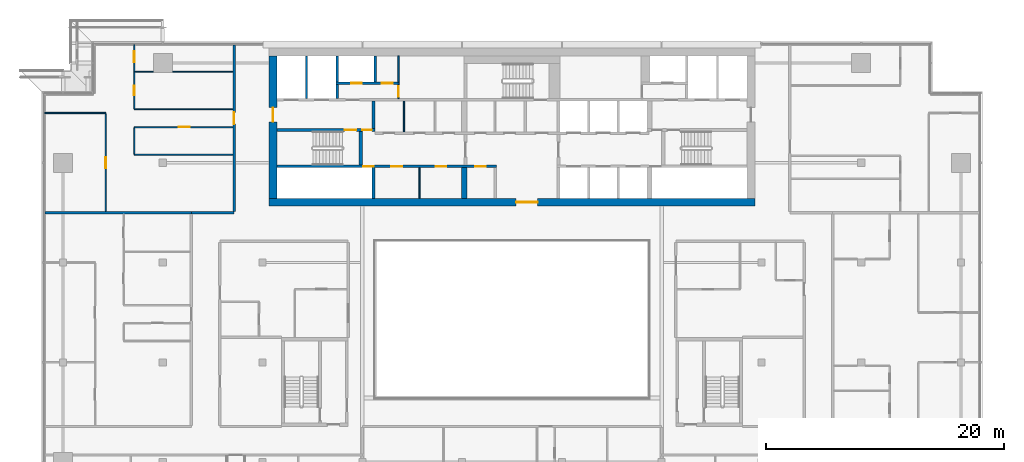
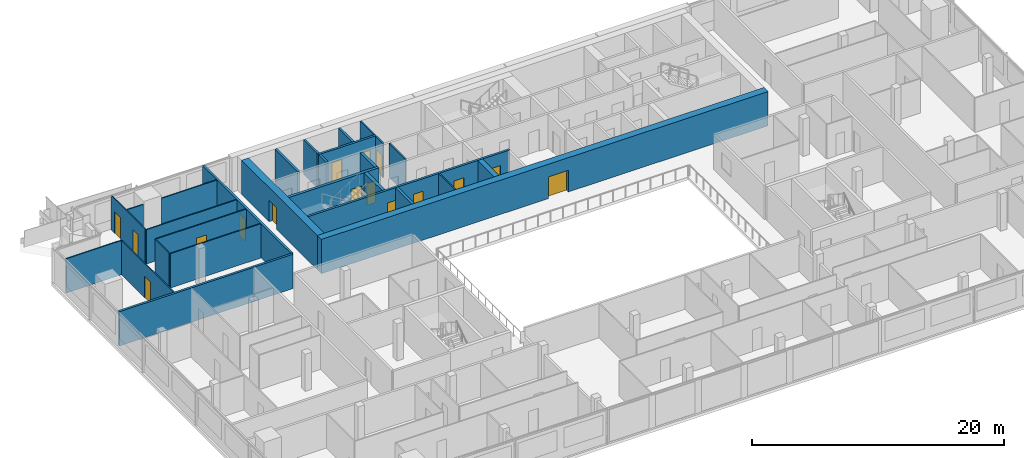
# One storey, part 21 of 30: 29 walls, 16 doors, 16 openings.
"""IFC4 building model written with IfcOpenShell, lengths in metres."""

from ifc_helpers import new_model, si_unit, direction, frame, frame_2d, origin, place, context, subcontext, project, spatial, rectangle, extrude, material, layer, layer_set, type_object, element, fill, save


model = new_model("IFC4")

# Units and contexts
model_context = context("Model", 3, precision=1e-05, world=origin(), true_north=direction((0.0, 1.0)))
body_context = subcontext(model_context, "Body", "Model", "MODEL_VIEW")
ifc_project = project(units=[si_unit("LENGTHUNIT", "METRE"), si_unit("AREAUNIT", "SQUARE_METRE"), si_unit("VOLUMEUNIT", "CUBIC_METRE"), si_unit("PLANEANGLEUNIT", "RADIAN"), si_unit("MASSUNIT", "GRAM", prefix="KILO")], contexts=[model_context])

# Site, building, storey
site_placement = place(None, origin())
site = spatial("IfcSite", under=ifc_project, at=site_placement, CompositionType="ELEMENT")
building_placement = place(site_placement, origin())
building = spatial("IfcBuilding", under=site, at=building_placement, Name="Saffron Gate Tower", CompositionType="ELEMENT")
storey_placement = place(building_placement, frame((0.0, 0.0, 237.89990234375)))
storey = spatial("IfcBuildingStorey", under=building, at=storey_placement, Name="L58", CompositionType="ELEMENT", Elevation=237.89990234375)

# Wall
ifc_material_1 = material(Name="Concrete C60", Category="concrete")
ifc_layer_1 = layer(ifc_material_1, 0.25)
ifc_layer_set_1 = layer_set([ifc_layer_1], Name="CW14 RC core wall 250 C60")
wall_type_1 = type_object("IfcWallType", Name="CW14 RC core wall 250 C60", PredefinedType="SOLIDWALL", material=ifc_layer_set_1)
wall_1_placement = place(storey_placement, frame((75.925048828125, 62.39990234375, 0.0), z_axis=(0.0, 0.0, 1.0), x_axis=(0.0, 1.0, 0.0)))
element("IfcWall", 1, at=wall_1_placement, inside=storey, type_object=wall_type_1, Name="Wall CW14-L58-5", PredefinedType="SOLIDWALL", context=body_context, shape_type="SweptSolid", body=[
    extrude(rectangle(XDim=2.60009765625, YDim=0.25, at=frame_2d((1.300048828125, 0.0))), origin(), (0.0, 0.0, 1.0), 3.320068359375),
])

# Wall, openings, doors
wall_2_placement = place(storey_placement, frame((67.800048828125, 68.175048828125, 0.0), z_axis=(0.0, 0.0, 1.0), x_axis=(1.0, 0.0, 0.0)))
wall_2 = element("IfcWall", 2, at=wall_2_placement, inside=storey, type_object=wall_type_1, Name="Wall CW14-L58-29", PredefinedType="SOLIDWALL", context=body_context, shape_type="SweptSolid", body=[
    extrude(rectangle(XDim=8.25, YDim=0.25, at=frame_2d((4.125, 0.0))), origin(), (0.0, 0.0, 1.0), 3.320068359375),
])
opening_1_placement = place(wall_2_placement, frame((5.699951171875, 0.0, 0.0)))
opening_1 = element("IfcOpeningElement", 3, at=opening_1_placement, cuts=wall_2, Name="Opening CR-15", PredefinedType="OPENING", context=body_context, shape_type="SweptSolid", body=[
    extrude(rectangle(XDim=1.0, YDim=2.10009765625, at=frame_2d((0.5, 1.050048828125))), frame((0.0, 0.135009765625, 0.0), z_axis=(0.0, -1.0, 0.0), x_axis=(1.0, 0.0, 0.0)), (0.0, 0.0, 1.0), 0.27001953125),
])
opening_2_placement = place(wall_2_placement, frame((7.199951171875, 0.0, 0.0)))
opening_2 = element("IfcOpeningElement", 4, at=opening_2_placement, cuts=wall_2, Name="Opening CR-06", PredefinedType="OPENING", context=body_context, shape_type="SweptSolid", body=[
    extrude(rectangle(XDim=0.800048828125, YDim=2.10009765625, at=frame_2d((0.39990234375, 1.050048828125))), frame((0.0, 0.135009765625, 0.0), z_axis=(0.0, -1.0, 0.0), x_axis=(1.0, 0.0, 0.0)), (0.0, 0.0, 1.0), 0.27001953125),
])
ifc_material_2 = material(Name="Steel fire door set", Category="steel")
door_type_1 = type_object("IfcDoorType", Name="CD5 Stair door 1000x2100 EI 120", OperationType="NOTDEFINED", PredefinedType="DOOR", material=ifc_material_2)
door_1_placement = place(opening_1_placement, origin())
door_1 = element("IfcDoor", 5, at=door_1_placement, inside=storey, type_object=door_type_1, Name="DOOR CR-15", OperationType="SINGLE_SWING_RIGHT", OverallHeight=2.10009765625, OverallWidth=1.0, PredefinedType="DOOR", context=body_context, shape_type="SweptSolid", body=[
    extrude(rectangle(XDim=1.0, YDim=2.10009765625, at=frame_2d((0.5, 1.050048828125))), frame((0.0, 0.02490234375, 0.0), z_axis=(0.0, -1.0, 0.0), x_axis=(1.0, 0.0, 0.0)), (0.0, 0.0, 1.0), 0.050048828125),
])
fill(opening_1, door_1)
door_type_2 = type_object("IfcDoorType", Name="CD6 Lobby door 800x2100 EI 120", OperationType="NOTDEFINED", PredefinedType="DOOR", material=ifc_material_2)
door_2_placement = place(opening_2_placement, origin())
door_2 = element("IfcDoor", 6, at=door_2_placement, inside=storey, type_object=door_type_2, Name="DOOR CR-06", OperationType="SINGLE_SWING_LEFT", OverallHeight=2.10009765625, OverallWidth=0.800048828125, PredefinedType="DOOR", context=body_context, shape_type="SweptSolid", body=[
    extrude(rectangle(XDim=0.800048828125, YDim=2.10009765625, at=frame_2d((0.39990234375, 1.050048828125))), frame((0.0, 0.02490234375, 0.0), z_axis=(0.0, -1.0, 0.0), x_axis=(1.0, 0.0, 0.0)), (0.0, 0.0, 1.0), 0.050048828125),
])
fill(opening_2, door_2)

# Wall
wall_3_placement = place(storey_placement, frame((75.925048828125, 68.300048828125, 0.0), z_axis=(0.0, 0.0, 1.0), x_axis=(0.0, 1.0, 0.0)))
element("IfcWall", 7, at=wall_3_placement, inside=storey, type_object=wall_type_1, Name="Wall CW14-L58-31", PredefinedType="SOLIDWALL", context=body_context, shape_type="SweptSolid", body=[
    extrude(rectangle(XDim=2.300048828125, YDim=0.25, at=frame_2d((1.14990234375, 0.0))), origin(), (0.0, 0.0, 1.0), 3.320068359375),
])

# Wall, openings, doors
ifc_layer_2 = layer(ifc_material_1, 0.199951171875)
ifc_layer_set_2 = layer_set([ifc_layer_2], Name="CW15 RC core wall 200 C60")
wall_type_2 = type_object("IfcWallType", Name="CW15 RC core wall 200 C60", PredefinedType="SOLIDWALL", material=ifc_layer_set_2)
wall_4_placement = place(storey_placement, frame((67.800048828125, 65.10009765625, 0.0), z_axis=(0.0, 0.0, 1.0), x_axis=(1.0, 0.0, 0.0)))
wall_4 = element("IfcWall", 8, at=wall_4_placement, inside=storey, type_object=wall_type_2, Name="Wall CW15-L58-13", PredefinedType="SOLIDWALL", context=body_context, shape_type="SweptSolid", body=[
    extrude(rectangle(XDim=18.5, YDim=0.199951171875, at=frame_2d((9.25, 0.0))), origin(), (0.0, 0.0, 1.0), 3.320068359375),
])
opening_3_placement = place(wall_4_placement, frame((7.27001953125, 0.0, 0.0)))
opening_3 = element("IfcOpeningElement", 9, at=opening_3_placement, cuts=wall_4, Name="Opening CR-49", PredefinedType="OPENING", context=body_context, shape_type="SweptSolid", body=[
    extrude(rectangle(XDim=0.89990234375, YDim=2.10009765625, at=frame_2d((0.449951171875, 1.050048828125))), frame((0.0, 0.10986328125, 0.0), z_axis=(0.0, -1.0, 0.0), x_axis=(1.0, 0.0, 0.0)), (0.0, 0.0, 1.0), 0.219970703125),
])
opening_4_placement = place(wall_4_placement, frame((9.64990234375, 0.0, 0.0)))
opening_4 = element("IfcOpeningElement", 10, at=opening_4_placement, cuts=wall_4, Name="Opening CR-64", PredefinedType="OPENING", context=body_context, shape_type="SweptSolid", body=[
    extrude(rectangle(XDim=0.89990234375, YDim=2.10009765625, at=frame_2d((0.449951171875, 1.050048828125))), frame((0.0, 0.10986328125, 0.0), z_axis=(0.0, -1.0, 0.0), x_axis=(1.0, 0.0, 0.0)), (0.0, 0.0, 1.0), 0.219970703125),
])
opening_5_placement = place(wall_4_placement, frame((13.360107421875, 0.0, 0.0)))
opening_5 = element("IfcOpeningElement", 11, at=opening_5_placement, cuts=wall_4, Name="Opening CR-65", PredefinedType="OPENING", context=body_context, shape_type="SweptSolid", body=[
    extrude(rectangle(XDim=0.89990234375, YDim=2.10009765625, at=frame_2d((0.449951171875, 1.050048828125))), frame((0.0, 0.10986328125, 0.0), z_axis=(0.0, -1.0, 0.0), x_axis=(1.0, 0.0, 0.0)), (0.0, 0.0, 1.0), 0.219970703125),
])
opening_6_placement = place(wall_4_placement, frame((16.699951171875, 0.0, 0.0)))
opening_6 = element("IfcOpeningElement", 12, at=opening_6_placement, cuts=wall_4, Name="Opening CR-69", PredefinedType="OPENING", context=body_context, shape_type="SweptSolid", body=[
    extrude(rectangle(XDim=0.89990234375, YDim=2.10009765625, at=frame_2d((0.449951171875, 1.050048828125))), frame((0.0, 0.10986328125, 0.0), z_axis=(0.0, -1.0, 0.0), x_axis=(1.0, 0.0, 0.0)), (0.0, 0.0, 1.0), 0.219970703125),
])
door_type_3 = type_object("IfcDoorType", Name="CD2 Riser door 900x2100 EI 60", OperationType="NOTDEFINED", PredefinedType="DOOR", material=ifc_material_2)
door_3_placement = place(opening_3_placement, origin())
door_3 = element("IfcDoor", 13, at=door_3_placement, inside=storey, type_object=door_type_3, Name="DOOR CR-49", OperationType="SINGLE_SWING_LEFT", OverallHeight=2.10009765625, OverallWidth=0.89990234375, PredefinedType="DOOR", context=body_context, shape_type="SweptSolid", body=[
    extrude(rectangle(XDim=0.89990234375, YDim=2.10009765625, at=frame_2d((0.449951171875, 1.050048828125))), frame((0.0, 0.02490234375, 0.0), z_axis=(0.0, -1.0, 0.0), x_axis=(1.0, 0.0, 0.0)), (0.0, 0.0, 1.0), 0.050048828125),
])
fill(opening_3, door_3)
door_type_4 = type_object("IfcDoorType", Name="CD9 Room door 900x2100 EI 60", OperationType="NOTDEFINED", PredefinedType="DOOR", material=ifc_material_2)
door_4_placement = place(opening_4_placement, origin())
door_4 = element("IfcDoor", 14, at=door_4_placement, inside=storey, type_object=door_type_4, Name="DOOR CR-64", OperationType="SINGLE_SWING_RIGHT", OverallHeight=2.10009765625, OverallWidth=0.89990234375, PredefinedType="DOOR", context=body_context, shape_type="SweptSolid", body=[
    extrude(rectangle(XDim=0.89990234375, YDim=2.10009765625, at=frame_2d((0.449951171875, 1.050048828125))), frame((0.0, 0.02490234375, 0.0), z_axis=(0.0, -1.0, 0.0), x_axis=(1.0, 0.0, 0.0)), (0.0, 0.0, 1.0), 0.050048828125),
])
fill(opening_4, door_4)
door_5_placement = place(opening_5_placement, origin())
door_5 = element("IfcDoor", 15, at=door_5_placement, inside=storey, type_object=door_type_4, Name="DOOR CR-65", OperationType="SINGLE_SWING_RIGHT", OverallHeight=2.10009765625, OverallWidth=0.89990234375, PredefinedType="DOOR", context=body_context, shape_type="SweptSolid", body=[
    extrude(rectangle(XDim=0.89990234375, YDim=2.10009765625, at=frame_2d((0.449951171875, 1.050048828125))), frame((0.0, 0.02490234375, 0.0), z_axis=(0.0, -1.0, 0.0), x_axis=(1.0, 0.0, 0.0)), (0.0, 0.0, 1.0), 0.050048828125),
])
fill(opening_5, door_5)
door_6_placement = place(opening_6_placement, origin())
door_6 = element("IfcDoor", 16, at=door_6_placement, inside=storey, type_object=door_type_4, Name="DOOR CR-69", OperationType="SINGLE_SWING_RIGHT", OverallHeight=2.10009765625, OverallWidth=0.89990234375, PredefinedType="DOOR", context=body_context, shape_type="SweptSolid", body=[
    extrude(rectangle(XDim=0.89990234375, YDim=2.10009765625, at=frame_2d((0.449951171875, 1.050048828125))), frame((0.0, 0.02490234375, 0.0), z_axis=(0.0, -1.0, 0.0), x_axis=(1.0, 0.0, 0.0)), (0.0, 0.0, 1.0), 0.050048828125),
])
fill(opening_6, door_6)

# Walls
wall_5_placement = place(storey_placement, frame((70.300048828125, 70.800048828125, 0.0), z_axis=(0.0, 0.0, 1.0), x_axis=(0.0, 1.0, 0.0)))
element("IfcWall", 17, at=wall_5_placement, inside=storey, type_object=wall_type_2, Name="Wall CW15-L58-34", PredefinedType="SOLIDWALL", context=body_context, shape_type="SweptSolid", body=[
    extrude(rectangle(XDim=3.599853515625, YDim=0.199951171875, at=frame_2d((1.7998046875, 0.0))), origin(), (0.0, 0.0, 1.0), 3.320068359375),
])
wall_6_placement = place(storey_placement, frame((72.89990234375, 70.800048828125, 0.0), z_axis=(0.0, 0.0, 1.0), x_axis=(0.0, 1.0, 0.0)))
element("IfcWall", 18, at=wall_6_placement, inside=storey, type_object=wall_type_2, Name="Wall CW15-L58-35", PredefinedType="SOLIDWALL", context=body_context, shape_type="SweptSolid", body=[
    extrude(rectangle(XDim=1.199951171875, YDim=0.199951171875, at=frame_2d((0.60009765625, 0.0))), origin(), (0.0, 0.0, 1.0), 3.320068359375),
])

# Wall, openings, doors
wall_7_placement = place(storey_placement, frame((72.800048828125, 72.10009765625, 0.0), z_axis=(0.0, 0.0, 1.0), x_axis=(1.0, 0.0, 0.0)))
wall_7 = element("IfcWall", 19, at=wall_7_placement, inside=storey, type_object=wall_type_2, Name="Wall CW15-L58-42", PredefinedType="SOLIDWALL", context=body_context, shape_type="SweptSolid", body=[
    extrude(rectangle(XDim=5.320068359375, YDim=0.199951171875, at=frame_2d((2.66015625, 0.0))), origin(), (0.0, 0.0, 1.0), 3.320068359375),
])
opening_7_placement = place(wall_7_placement, frame((1.25, 0.0, 0.0)))
opening_7 = element("IfcOpeningElement", 20, at=opening_7_placement, cuts=wall_7, Name="Opening CR-71", PredefinedType="OPENING", context=body_context, shape_type="SweptSolid", body=[
    extrude(rectangle(XDim=0.89990234375, YDim=2.10009765625, at=frame_2d((0.449951171875, 1.050048828125))), frame((0.0, 0.10986328125, 0.0), z_axis=(0.0, -1.0, 0.0), x_axis=(1.0, 0.0, 0.0)), (0.0, 0.0, 1.0), 0.219970703125),
])
opening_8_placement = place(wall_7_placement, frame((3.85009765625, 0.0, 0.0)))
opening_8 = element("IfcOpeningElement", 21, at=opening_8_placement, cuts=wall_7, Name="Opening CR-55", PredefinedType="OPENING", context=body_context, shape_type="SweptSolid", body=[
    extrude(rectangle(XDim=0.89990234375, YDim=2.10009765625, at=frame_2d((0.449951171875, 1.050048828125))), frame((0.0, 0.10986328125, 0.0), z_axis=(0.0, -1.0, 0.0), x_axis=(1.0, 0.0, 0.0)), (0.0, 0.0, 1.0), 0.219970703125),
])
door_7_placement = place(opening_7_placement, origin())
door_7 = element("IfcDoor", 22, at=door_7_placement, inside=storey, type_object=door_type_3, Name="DOOR CR-71", OperationType="SINGLE_SWING_LEFT", OverallHeight=2.10009765625, OverallWidth=0.89990234375, PredefinedType="DOOR", context=body_context, shape_type="SweptSolid", body=[
    extrude(rectangle(XDim=0.89990234375, YDim=2.10009765625, at=frame_2d((0.449951171875, 1.050048828125))), frame((0.0, 0.02490234375, 0.0), z_axis=(0.0, -1.0, 0.0), x_axis=(1.0, 0.0, 0.0)), (0.0, 0.0, 1.0), 0.050048828125),
])
fill(opening_7, door_7)
door_8_placement = place(opening_8_placement, origin())
door_8 = element("IfcDoor", 23, at=door_8_placement, inside=storey, type_object=door_type_4, Name="DOOR CR-55", OperationType="SINGLE_SWING_LEFT", OverallHeight=2.10009765625, OverallWidth=0.89990234375, PredefinedType="DOOR", context=body_context, shape_type="SweptSolid", body=[
    extrude(rectangle(XDim=0.89990234375, YDim=2.10009765625, at=frame_2d((0.449951171875, 1.050048828125))), frame((0.0, 0.02490234375, 0.0), z_axis=(0.0, -1.0, 0.0), x_axis=(1.0, 0.0, 0.0)), (0.0, 0.0, 1.0), 0.050048828125),
])
fill(opening_8, door_8)

# Walls
for number, where, z_axis, x_axis, name in (
    (24, (72.89990234375, 72.199951171875, 0.0), (0.0, 0.0, 1.0), (0.0, 1.0, 0.0), "Wall CW15-L58-44"),
    (25, (76.10009765625, 72.199951171875, 0.0), (0.0, 0.0, 1.0), (0.0, 1.0, 0.0), "Wall CW15-L58-45"),
):
    element("IfcWall", number, at=place(storey_placement, frame(where, z_axis=z_axis, x_axis=x_axis)), inside=storey, type_object=wall_type_2, Name=name, PredefinedType="SOLIDWALL", context=body_context, shape_type="SweptSolid", body=[
        extrude(rectangle(XDim=2.199951171875, YDim=0.199951171875, at=frame_2d((1.10009765625, 0.0))), origin(), (0.0, 0.0, 1.0), 3.320068359375),
    ])
ifc_layer_3 = layer(ifc_material_1, 0.449951171875)
ifc_layer_set_3 = layer_set([ifc_layer_3], Name="CW16 RC core wall 450 C60")
wall_type_3 = type_object("IfcWallType", Name="CW16 RC core wall 450 C60", PredefinedType="SOLIDWALL", material=ifc_layer_set_3)
wall_8_placement = place(storey_placement, frame((83.574951171875, 62.39990234375, 0.0), z_axis=(0.0, 0.0, 1.0), x_axis=(0.0, 1.0, 0.0)))
element("IfcWall", 26, at=wall_8_placement, inside=storey, type_object=wall_type_3, Name="Wall CW16-L58-7", PredefinedType="SOLIDWALL", context=body_context, shape_type="SweptSolid", body=[
    extrude(rectangle(XDim=2.60009765625, YDim=0.449951171875, at=frame_2d((1.300048828125, 0.0))), origin(), (0.0, 0.0, 1.0), 3.320068359375),
])
ifc_layer_4 = layer(ifc_material_1, 0.300048828125)
ifc_layer_set_4 = layer_set([ifc_layer_4], Name="CW17 RC core wall 300 C60")
wall_type_4 = type_object("IfcWallType", Name="CW17 RC core wall 300 C60", PredefinedType="SOLIDWALL", material=ifc_layer_set_4)
wall_9_placement = place(storey_placement, frame((74.85009765625, 65.199951171875, 0.0), z_axis=(0.0, 0.0, 1.0), x_axis=(0.0, 1.0, 0.0)))
element("IfcWall", 27, at=wall_9_placement, inside=storey, type_object=wall_type_4, Name="Wall CW17-L58-15", PredefinedType="SOLIDWALL", context=body_context, shape_type="SweptSolid", body=[
    extrude(rectangle(XDim=2.85009765625, YDim=0.300048828125, at=frame_2d((1.425048828125, 0.0))), origin(), (0.0, 0.0, 1.0), 3.320068359375),
])

# Wall, opening, door
ifc_layer_5 = layer(ifc_material_1, 0.64990234375)
ifc_layer_set_5 = layer_set([ifc_layer_5], Name="CW20 RC core wall 650 C60")
wall_type_5 = type_object("IfcWallType", Name="CW20 RC core wall 650 C60", PredefinedType="SOLIDWALL", material=ifc_layer_set_5)
wall_10_placement = place(storey_placement, frame((67.14990234375, 62.074951171875, 0.0), z_axis=(0.0, 0.0, 1.0), x_axis=(1.0, 0.0, 0.0)))
wall_10 = element("IfcWall", 28, at=wall_10_placement, inside=storey, type_object=wall_type_5, Name="Wall CW20-L58-1", PredefinedType="SOLIDWALL", context=body_context, shape_type="SweptSolid", body=[
    extrude(rectangle(XDim=40.900146484375, YDim=0.64990234375, at=frame_2d((20.4501953125, 0.0))), origin(), (0.0, 0.0, 1.0), 3.320068359375),
])
opening_9_placement = place(wall_10_placement, frame((20.800048828125, 0.0, 0.0)))
opening_9 = element("IfcOpeningElement", 29, at=opening_9_placement, cuts=wall_10, Name="Opening CR-09", PredefinedType="OPENING", context=body_context, shape_type="SweptSolid", body=[
    extrude(rectangle(XDim=1.800048828125, YDim=2.10009765625, at=frame_2d((0.89990234375, 1.050048828125))), frame((0.0, 0.3349609375, 0.0), z_axis=(0.0, -1.0, 0.0), x_axis=(1.0, 0.0, 0.0)), (0.0, 0.0, 1.0), 0.669921875),
])
door_type_5 = type_object("IfcDoorType", Name="CD1 Core entrance door 1800x2100 EI 120", OperationType="NOTDEFINED", PredefinedType="DOOR", material=ifc_material_2)
door_9_placement = place(opening_9_placement, origin())
door_9 = element("IfcDoor", 30, at=door_9_placement, inside=storey, type_object=door_type_5, Name="DOOR CR-09", OperationType="DOUBLE_DOOR_SINGLE_SWING", OverallHeight=2.10009765625, OverallWidth=1.800048828125, PredefinedType="DOOR", context=body_context, shape_type="SweptSolid", body=[
    extrude(rectangle(XDim=1.800048828125, YDim=2.10009765625, at=frame_2d((0.89990234375, 1.050048828125))), frame((0.0, 0.02490234375, 0.0), z_axis=(0.0, -1.0, 0.0), x_axis=(1.0, 0.0, 0.0)), (0.0, 0.0, 1.0), 0.050048828125),
])
fill(opening_9, door_9)

wall_11_placement = place(storey_placement, frame((67.47509765625, 62.39990234375, 0.0), z_axis=(0.0, 0.0, 1.0), x_axis=(0.0, 1.0, 0.0)))
wall_11 = element("IfcWall", 31, at=wall_11_placement, inside=storey, type_object=wall_type_5, Name="Wall CW20-L58-3", PredefinedType="SOLIDWALL", context=body_context, shape_type="SweptSolid", body=[
    extrude(rectangle(XDim=12.0, YDim=0.64990234375, at=frame_2d((6.0, 0.0))), origin(), (0.0, 0.0, 1.0), 3.320068359375),
])
opening_10_placement = place(wall_11_placement, frame((6.449951171875, 0.0, 0.0)))
opening_10 = element("IfcOpeningElement", 32, at=opening_10_placement, cuts=wall_11, Name="Opening CR-10", PredefinedType="OPENING", context=body_context, shape_type="SweptSolid", body=[
    extrude(rectangle(XDim=1.199951171875, YDim=2.10009765625, at=frame_2d((0.60009765625, 1.050048828125))), frame((0.0, 0.3349609375, 0.0), z_axis=(0.0, -1.0, 0.0), x_axis=(1.0, 0.0, 0.0)), (0.0, 0.0, 1.0), 0.669921875),
])
door_type_6 = type_object("IfcDoorType", Name="CD7 Core entrance door 1200x2100 EI 120", OperationType="NOTDEFINED", PredefinedType="DOOR", material=ifc_material_2)
door_10_placement = place(opening_10_placement, origin())
door_10 = element("IfcDoor", 33, at=door_10_placement, inside=storey, type_object=door_type_6, Name="DOOR CR-10", OperationType="SINGLE_SWING_LEFT", OverallHeight=2.10009765625, OverallWidth=1.199951171875, PredefinedType="DOOR", context=body_context, shape_type="SweptSolid", body=[
    extrude(rectangle(XDim=1.199951171875, YDim=2.10009765625, at=frame_2d((0.60009765625, 1.050048828125))), frame((0.0, 0.02490234375, 0.0), z_axis=(0.0, -1.0, 0.0), x_axis=(1.0, 0.0, 0.0)), (0.0, 0.0, 1.0), 0.050048828125),
])
fill(opening_10, door_10)

# Walls
ifc_material_3 = material(Name="Gypsum board partition on steel studs", Category="steel")
ifc_layer_6 = layer(ifc_material_3, 0.1201171875)
ifc_layer_set_6 = layer_set([ifc_layer_6], Name="CW8 Core partition 120")
wall_type_6 = type_object("IfcWallType", Name="CW8 Core partition 120", PredefinedType="PARTITIONING", material=ifc_layer_set_6)
for number, where, z_axis, x_axis, name in (
    (34, (79.81005859375, 62.39990234375, 0.0), (0.0, 0.0, 1.0), (0.0, 1.0, 0.0), "Wall CW8-L58-6"),
    (35, (78.510009765625, 68.0, 0.0), (0.0, 0.0, 1.0), (0.0, 1.0, 0.0), "Wall CW8-L58-20"),
):
    element("IfcWall", number, at=place(storey_placement, frame(where, z_axis=z_axis, x_axis=x_axis)), inside=storey, type_object=wall_type_6, Name=name, PredefinedType="PARTITIONING", context=body_context, shape_type="SweptSolid", body=[
        extrude(rectangle(XDim=2.60009765625, YDim=0.1201171875, at=frame_2d((1.300048828125, 0.0))), origin(), (0.0, 0.0, 1.0), 3.320068359375),
    ])

# Wall, opening, door
wall_12_placement = place(storey_placement, frame((78.06005859375, 70.800048828125, 0.0), z_axis=(0.0, 0.0, 1.0), x_axis=(0.0, 1.0, 0.0)))
wall_12 = element("IfcWall", 36, at=wall_12_placement, inside=storey, type_object=wall_type_6, Name="Wall CW8-L58-36", PredefinedType="PARTITIONING", context=body_context, shape_type="SweptSolid", body=[
    extrude(rectangle(XDim=1.199951171875, YDim=0.1201171875, at=frame_2d((0.60009765625, 0.0))), origin(), (0.0, 0.0, 1.0), 3.320068359375),
])
opening_11_placement = place(wall_12_placement, frame((0.14990234375, 0.0, 0.0)))
opening_11 = element("IfcOpeningElement", 37, at=opening_11_placement, cuts=wall_12, Name="Opening CR-60", PredefinedType="OPENING", context=body_context, shape_type="SweptSolid", body=[
    extrude(rectangle(XDim=0.89990234375, YDim=2.10009765625, at=frame_2d((0.449951171875, 1.050048828125))), frame((0.0, 0.070068359375, 0.0), z_axis=(0.0, -1.0, 0.0), x_axis=(1.0, 0.0, 0.0)), (0.0, 0.0, 1.0), 0.14013671875),
])
door_11_placement = place(opening_11_placement, origin())
door_11 = element("IfcDoor", 38, at=door_11_placement, inside=storey, type_object=door_type_4, Name="DOOR CR-60", OperationType="SINGLE_SWING_RIGHT", OverallHeight=2.10009765625, OverallWidth=0.89990234375, PredefinedType="DOOR", context=body_context, shape_type="SweptSolid", body=[
    extrude(rectangle(XDim=0.89990234375, YDim=2.10009765625, at=frame_2d((0.449951171875, 1.050048828125))), frame((0.0, 0.02490234375, 0.0), z_axis=(0.0, -1.0, 0.0), x_axis=(1.0, 0.0, 0.0)), (0.0, 0.0, 1.0), 0.050048828125),
])
fill(opening_11, door_11)

# Walls
wall_13_placement = place(storey_placement, frame((78.06005859375, 72.199951171875, 0.0), z_axis=(0.0, 0.0, 1.0), x_axis=(0.0, 1.0, 0.0)))
element("IfcWall", 39, at=wall_13_placement, inside=storey, type_object=wall_type_6, Name="Wall CW8-L58-46", PredefinedType="PARTITIONING", context=body_context, shape_type="SweptSolid", body=[
    extrude(rectangle(XDim=2.199951171875, YDim=0.1201171875, at=frame_2d((1.10009765625, 0.0))), origin(), (0.0, 0.0, 1.0), 3.320068359375),
])
ifc_material_4 = material(Name="Plasterboard on steel studs", Category="steel")
ifc_layer_7 = layer(ifc_material_4, 0.10009765625)
ifc_layer_set_7 = layer_set([ifc_layer_7], Name="PW1 Partition 100")
wall_type_7 = type_object("IfcWallType", Name="PW1 Partition 100", PredefinedType="PARTITIONING", material=ifc_layer_set_7)
wall_14_placement = place(storey_placement, frame((55.800048828125, 66.0810546875, 0.0), z_axis=(0.0, 0.0, 1.0), x_axis=(1.0, 0.0, 0.0)))
element("IfcWall", 40, at=wall_14_placement, inside=storey, type_object=wall_type_7, Name="Partition D4-51", PredefinedType="PARTITIONING", context=body_context, shape_type="SweptSolid", body=[
    extrude(rectangle(XDim=8.300048828125, YDim=0.10009765625, at=frame_2d((4.14990234375, 0.0))), origin(), (0.0, 0.0, 1.0), 3.320068359375),
])

# Wall, opening, door
wall_15_placement = place(storey_placement, frame((64.10009765625, 68.39990234375, 0.0), z_axis=(0.0, 0.0, 1.0), x_axis=(-1.0, 0.0, 0.0)))
wall_15 = element("IfcWall", 41, at=wall_15_placement, inside=storey, type_object=wall_type_7, Name="Partition D4-52", PredefinedType="PARTITIONING", context=body_context, shape_type="SweptSolid", body=[
    extrude(rectangle(XDim=8.300048828125, YDim=0.10009765625, at=frame_2d((4.14990234375, 0.0))), origin(), (0.0, 0.0, 1.0), 3.320068359375),
])
opening_12_placement = place(wall_15_placement, frame((3.64990234375, 0.0, 0.0)))
opening_12 = element("IfcOpeningElement", 42, at=opening_12_placement, cuts=wall_15, Name="Opening D4-27", PredefinedType="OPENING", context=body_context, shape_type="SweptSolid", body=[
    extrude(rectangle(XDim=0.89990234375, YDim=2.10009765625, at=frame_2d((0.449951171875, 1.050048828125))), frame((0.0, 0.06005859375, 0.0), z_axis=(0.0, -1.0, 0.0), x_axis=(1.0, 0.0, 0.0)), (0.0, 0.0, 1.0), 0.1201171875),
])
ifc_material_5 = material(Name="Timber door set", Category="wood")
door_type_7 = type_object("IfcDoorType", Name="RD1 Room door 900x2100", OperationType="NOTDEFINED", PredefinedType="DOOR", material=ifc_material_5)
door_12_placement = place(opening_12_placement, origin())
door_12 = element("IfcDoor", 43, at=door_12_placement, inside=storey, type_object=door_type_7, Name="Door D4-27", OperationType="SINGLE_SWING_LEFT", OverallHeight=2.10009765625, OverallWidth=0.89990234375, PredefinedType="DOOR", context=body_context, shape_type="SweptSolid", body=[
    extrude(rectangle(XDim=0.89990234375, YDim=2.10009765625, at=frame_2d((0.449951171875, 1.050048828125))), frame((0.0, 0.02490234375, 0.0), z_axis=(0.0, -1.0, 0.0), x_axis=(1.0, 0.0, 0.0)), (0.0, 0.0, 1.0), 0.050048828125),
])
fill(opening_12, door_12)

# Walls
wall_16_placement = place(storey_placement, frame((48.280029296875, 69.60009765625, 0.0), z_axis=(0.0, 0.0, 1.0), x_axis=(1.0, 0.0, 0.0)))
element("IfcWall", 44, at=wall_16_placement, inside=storey, type_object=wall_type_7, Name="Partition D4-53", PredefinedType="PARTITIONING", context=body_context, shape_type="SweptSolid", body=[
    extrude(rectangle(XDim=5.119873046875, YDim=0.10009765625, at=frame_2d((2.56005859375, 0.0))), origin(), (0.0, 0.0, 1.0), 3.320068359375),
])
wall_17_placement = place(storey_placement, frame((55.800048828125, 69.89990234375, 0.0), z_axis=(0.0, 0.0, 1.0), x_axis=(1.0, 0.0, 0.0)))
element("IfcWall", 45, at=wall_17_placement, inside=storey, type_object=wall_type_7, Name="Partition D4-55", PredefinedType="PARTITIONING", context=body_context, shape_type="SweptSolid", body=[
    extrude(rectangle(XDim=8.300048828125, YDim=0.10009765625, at=frame_2d((4.14990234375, 0.0))), origin(), (0.0, 0.0, 1.0), 3.320068359375),
])
wall_18_placement = place(storey_placement, frame((55.85009765625, 73.0546875, 0.0), z_axis=(0.0, 0.0, 1.0), x_axis=(1.0, 0.0, 0.0)))
element("IfcWall", 46, at=wall_18_placement, inside=storey, type_object=wall_type_7, Name="Partition D4-57", PredefinedType="PARTITIONING", context=body_context, shape_type="SweptSolid", body=[
    extrude(rectangle(XDim=1.52978515625, YDim=0.10009765625, at=frame_2d((0.764892578125, 0.0))), origin(), (0.0, 0.0, 1.0), 3.320068359375),
])
wall_19_placement = place(storey_placement, frame((59.02001953125, 73.0546875, 0.0), z_axis=(0.0, 0.0, 1.0), x_axis=(1.0, 0.0, 0.0)))
element("IfcWall", 47, at=wall_19_placement, inside=storey, type_object=wall_type_7, Name="Partition D4-58", PredefinedType="PARTITIONING", context=body_context, shape_type="SweptSolid", body=[
    extrude(rectangle(XDim=5.080078125, YDim=0.10009765625, at=frame_2d((2.5400390625, 0.0))), origin(), (0.0, 0.0, 1.0), 3.320068359375),
])

# Wall, opening, door
wall_20_placement = place(storey_placement, frame((53.39990234375, 61.300048828125, 0.0), z_axis=(0.0, 0.0, 1.0), x_axis=(0.0, 1.0, 0.0)))
wall_20 = element("IfcWall", 48, at=wall_20_placement, inside=storey, type_object=wall_type_7, Name="Partition D4-60", PredefinedType="PARTITIONING", context=body_context, shape_type="SweptSolid", body=[
    extrude(rectangle(XDim=8.25, YDim=0.10009765625, at=frame_2d((4.125, 0.0))), origin(), (0.0, 0.0, 1.0), 3.320068359375),
])
opening_13_placement = place(wall_20_placement, frame((3.64990234375, 0.0, 0.0)))
opening_13 = element("IfcOpeningElement", 49, at=opening_13_placement, cuts=wall_20, Name="Opening D4-26", PredefinedType="OPENING", context=body_context, shape_type="SweptSolid", body=[
    extrude(rectangle(XDim=0.89990234375, YDim=2.10009765625, at=frame_2d((0.449951171875, 1.050048828125))), frame((0.0, 0.06005859375, 0.0), z_axis=(0.0, -1.0, 0.0), x_axis=(1.0, 0.0, 0.0)), (0.0, 0.0, 1.0), 0.1201171875),
])
door_13_placement = place(opening_13_placement, origin())
door_13 = element("IfcDoor", 50, at=door_13_placement, inside=storey, type_object=door_type_7, Name="Door D4-26", OperationType="SINGLE_SWING_LEFT", OverallHeight=2.10009765625, OverallWidth=0.89990234375, PredefinedType="DOOR", context=body_context, shape_type="SweptSolid", body=[
    extrude(rectangle(XDim=0.89990234375, YDim=2.10009765625, at=frame_2d((0.449951171875, 1.050048828125))), frame((0.0, 0.02490234375, 0.0), z_axis=(0.0, -1.0, 0.0), x_axis=(1.0, 0.0, 0.0)), (0.0, 0.0, 1.0), 0.050048828125),
])
fill(opening_13, door_13)

# Wall
wall_21_placement = place(storey_placement, frame((55.800048828125, 68.35009765625, 0.0), z_axis=(0.0, 0.0, 1.0), x_axis=(0.0, -1.0, 0.0)))
element("IfcWall", 51, at=wall_21_placement, inside=storey, type_object=wall_type_7, Name="Partition D4-65", PredefinedType="PARTITIONING", context=body_context, shape_type="SweptSolid", body=[
    extrude(rectangle(XDim=2.218994140625, YDim=0.10009765625, at=frame_2d((1.109375, 0.0))), origin(), (0.0, 0.0, 1.0), 3.320068359375),
])

# Wall, openings, doors
wall_22_placement = place(storey_placement, frame((55.800048828125, 75.320068359375, 0.0), z_axis=(0.0, 0.0, 1.0), x_axis=(0.0, -1.0, 0.0)))
wall_22 = element("IfcWall", 52, at=wall_22_placement, inside=storey, type_object=wall_type_7, Name="Partition D4-66", PredefinedType="PARTITIONING", context=body_context, shape_type="SweptSolid", body=[
    extrude(rectangle(XDim=5.3701171875, YDim=0.10009765625, at=frame_2d((2.68505859375, 0.0))), origin(), (0.0, 0.0, 1.0), 3.320068359375),
])
opening_14_placement = place(wall_22_placement, frame((0.54248046875, 0.0, 0.0)))
opening_14 = element("IfcOpeningElement", 53, at=opening_14_placement, cuts=wall_22, Name="Opening D4-28", PredefinedType="OPENING", context=body_context, shape_type="SweptSolid", body=[
    extrude(rectangle(XDim=0.89990234375, YDim=2.10009765625, at=frame_2d((0.449951171875, 1.050048828125))), frame((0.0, 0.06005859375, 0.0), z_axis=(0.0, -1.0, 0.0), x_axis=(1.0, 0.0, 0.0)), (0.0, 0.0, 1.0), 0.1201171875),
])
opening_15_placement = place(wall_22_placement, frame((3.442626953125, 0.0, 0.0)))
opening_15 = element("IfcOpeningElement", 54, at=opening_15_placement, cuts=wall_22, Name="Opening D4-45", PredefinedType="OPENING", context=body_context, shape_type="SweptSolid", body=[
    extrude(rectangle(XDim=0.800048828125, YDim=2.10009765625, at=frame_2d((0.39990234375, 1.050048828125))), frame((0.0, 0.06005859375, 0.0), z_axis=(0.0, -1.0, 0.0), x_axis=(1.0, 0.0, 0.0)), (0.0, 0.0, 1.0), 0.1201171875),
])
door_14_placement = place(opening_14_placement, origin())
door_14 = element("IfcDoor", 55, at=door_14_placement, inside=storey, type_object=door_type_7, Name="Door D4-28", OperationType="SINGLE_SWING_LEFT", OverallHeight=2.10009765625, OverallWidth=0.89990234375, PredefinedType="DOOR", context=body_context, shape_type="SweptSolid", body=[
    extrude(rectangle(XDim=0.89990234375, YDim=2.10009765625, at=frame_2d((0.449951171875, 1.050048828125))), frame((0.0, 0.02490234375, 0.0), z_axis=(0.0, -1.0, 0.0), x_axis=(1.0, 0.0, 0.0)), (0.0, 0.0, 1.0), 0.050048828125),
])
fill(opening_14, door_14)
door_type_8 = type_object("IfcDoorType", Name="RD2 Bathroom door 800x2100", OperationType="NOTDEFINED", PredefinedType="DOOR", material=ifc_material_5)
door_15_placement = place(opening_15_placement, origin())
door_15 = element("IfcDoor", 56, at=door_15_placement, inside=storey, type_object=door_type_8, Name="Door D4-45", OperationType="SINGLE_SWING_RIGHT", OverallHeight=2.10009765625, OverallWidth=0.800048828125, PredefinedType="DOOR", context=body_context, shape_type="SweptSolid", body=[
    extrude(rectangle(XDim=0.800048828125, YDim=2.10009765625, at=frame_2d((0.39990234375, 1.050048828125))), frame((0.0, 0.02490234375, 0.0), z_axis=(0.0, -1.0, 0.0), x_axis=(1.0, 0.0, 0.0)), (0.0, 0.0, 1.0), 0.050048828125),
])
fill(opening_15, door_15)

# Walls
ifc_material_6 = material(Name="Clay brick masonry, rendered", Category="masonry")
ifc_layer_8 = layer(ifc_material_6, 0.199951171875)
ifc_layer_set_8 = layer_set([ifc_layer_8], Name="PW2 Demising wall 200")
wall_type_8 = type_object("IfcWallType", Name="PW2 Demising wall 200", PredefinedType="PARTITIONING", material=ifc_layer_set_8)
wall_23_placement = place(storey_placement, frame((48.280029296875, 61.199951171875, 0.0), z_axis=(0.0, 0.0, 1.0), x_axis=(1.0, 0.0, 0.0)))
element("IfcWall", 57, at=wall_23_placement, inside=storey, type_object=wall_type_8, Name="Wall D4-47", PredefinedType="PARTITIONING", context=body_context, shape_type="SweptSolid", body=[
    extrude(rectangle(XDim=12.320068359375, YDim=0.199951171875, at=frame_2d((6.16015625, 0.0))), origin(), (0.0, 0.0, 1.0), 3.320068359375),
])
ifc_layer_9 = layer(ifc_material_6, 0.199951171875)
ifc_layer_set_9 = layer_set([ifc_layer_9], Name="PW3 Corridor wall 200")
wall_type_9 = type_object("IfcWallType", Name="PW3 Corridor wall 200", PredefinedType="PARTITIONING", material=ifc_layer_set_9)
wall_24_placement = place(storey_placement, frame((60.60009765625, 61.199951171875, 0.0), z_axis=(0.0, 0.0, 1.0), x_axis=(1.0, 0.0, 0.0)))
element("IfcWall", 58, at=wall_24_placement, inside=storey, type_object=wall_type_9, Name="Wall D4-45", PredefinedType="PARTITIONING", context=body_context, shape_type="SweptSolid", body=[
    extrude(rectangle(XDim=3.599853515625, YDim=0.199951171875, at=frame_2d((1.7998046875, 0.0))), origin(), (0.0, 0.0, 1.0), 3.320068359375),
])

# Wall, opening, door
wall_25_placement = place(storey_placement, frame((64.199951171875, 61.300048828125, 0.0), z_axis=(0.0, 0.0, 1.0), x_axis=(0.0, 1.0, 0.0)))
wall_25 = element("IfcWall", 59, at=wall_25_placement, inside=storey, type_object=wall_type_9, Name="Wall D4-72", PredefinedType="PARTITIONING", context=body_context, shape_type="SweptSolid", body=[
    extrude(rectangle(XDim=14.02001953125, YDim=0.199951171875, at=frame_2d((7.010009765625, 0.0))), origin(), (0.0, 0.0, 1.0), 3.320068359375),
])
opening_16_placement = place(wall_25_placement, frame((7.35009765625, 0.0, 0.0)))
opening_16 = element("IfcOpeningElement", 60, at=opening_16_placement, cuts=wall_25, Name="Opening D4-5", PredefinedType="OPENING", context=body_context, shape_type="SweptSolid", body=[
    extrude(rectangle(XDim=1.0, YDim=2.10009765625, at=frame_2d((0.5, 1.050048828125))), frame((0.0, 0.10986328125, 0.0), z_axis=(0.0, -1.0, 0.0), x_axis=(1.0, 0.0, 0.0)), (0.0, 0.0, 1.0), 0.219970703125),
])
ifc_material_7 = material(Name="Timber fire door set", Category="wood")
door_type_9 = type_object("IfcDoorType", Name="FD1 Flat entry door 1000x2100", OperationType="NOTDEFINED", PredefinedType="DOOR", material=ifc_material_7)
door_16_placement = place(opening_16_placement, origin())
door_16 = element("IfcDoor", 61, at=door_16_placement, inside=storey, type_object=door_type_9, Name="Door D4-5", OperationType="SINGLE_SWING_LEFT", OverallHeight=2.10009765625, OverallWidth=1.0, PredefinedType="DOOR", context=body_context, shape_type="SweptSolid", body=[
    extrude(rectangle(XDim=1.0, YDim=2.10009765625, at=frame_2d((0.5, 1.050048828125))), frame((0.0, 0.02490234375, 0.0), z_axis=(0.0, -1.0, 0.0), x_axis=(1.0, 0.0, 0.0)), (0.0, 0.0, 1.0), 0.050048828125),
])
fill(opening_16, door_16)

save(model, "model.ifc")
